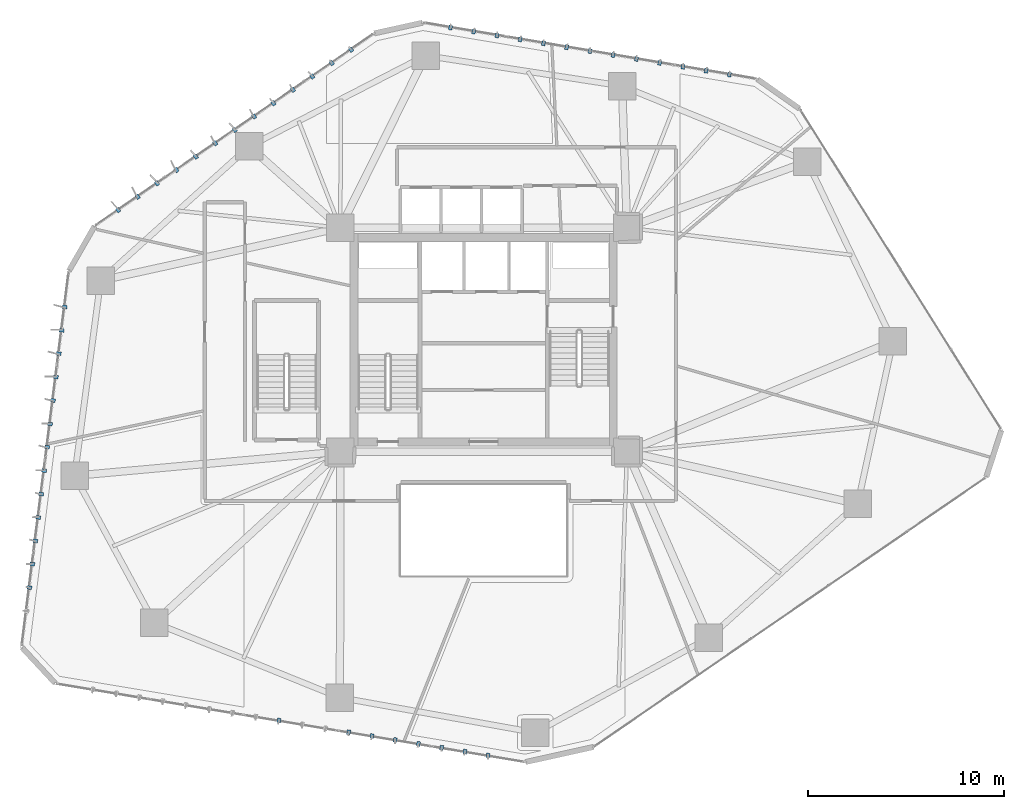
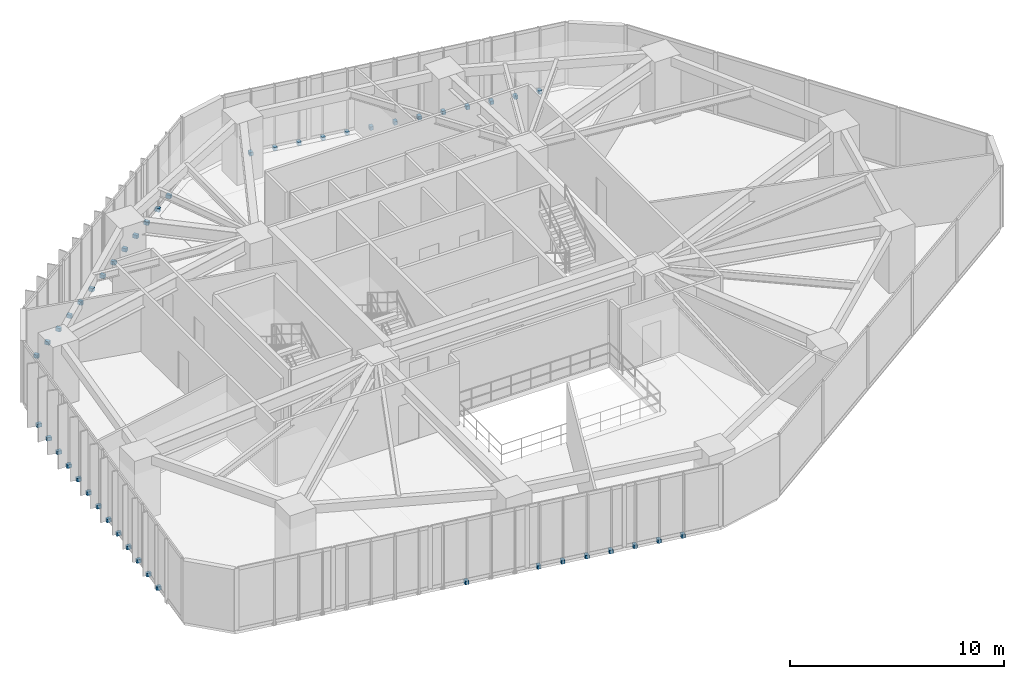
# One storey, part 19 of 21: 47 discrete accessories.
"""IFC4 building model written with IfcOpenShell, lengths in metres."""

from ifc_helpers import new_model, si_unit, direction, frame, origin, origin_2d, place, context, subcontext, project, spatial, rectangle, extrude, source, transform, mapped, material, type_object, type_shapes, element, save


model = new_model("IFC4")

# Units and contexts
model_context = context("Model", 3, precision=1e-05, world=origin(), true_north=direction((0.0, 1.0)))
body_context = subcontext(model_context, "Body", "Model", "MODEL_VIEW")
ifc_project = project(units=[si_unit("LENGTHUNIT", "METRE"), si_unit("AREAUNIT", "SQUARE_METRE"), si_unit("VOLUMEUNIT", "CUBIC_METRE"), si_unit("PLANEANGLEUNIT", "RADIAN"), si_unit("MASSUNIT", "GRAM", prefix="KILO")], contexts=[model_context])

# Site, building, storey
site_placement = place(None, origin())
site = spatial("IfcSite", under=ifc_project, at=site_placement, CompositionType="ELEMENT")
building_placement = place(site_placement, origin())
building = spatial("IfcBuilding", under=site, at=building_placement, Name="Talar Marvaseh", CompositionType="ELEMENT")
storey_placement = place(building_placement, frame((0.0, 0.0, 62.0)))
storey = spatial("IfcBuildingStorey", under=building, at=storey_placement, Name="L15", CompositionType="ELEMENT", Elevation=62.0)

# Discrete accessories
ifc_material = material(Name="Stainless Steel Grade 316", Category="steel")
discrete_accessory_type = type_object("IfcDiscreteAccessoryType", Name="Stainless Slab-Edge Fin Mounting Bracket", PredefinedType="BRACKET", material=ifc_material)
shared_shape = source(origin(), body_context, "Body", "SweptSolid", [
    extrude(rectangle(XDim=0.239990234375, YDim=0.179931640625, at=origin_2d()), origin(), (0.0, 0.0, 1.0), 0.199951171875),
])
type_shapes(discrete_accessory_type, [shared_shape])
for number, where, z_axis, x_axis, name in (
    (1, (2.874755859375, 18.581298828125, -0.18017578125), (0.0, 0.0, 1.0), (-0.992223697411, 0.124467402546, 0.0), "L15 Vertical Fin Slab-Edge Bracket"),
    (2, (3.024169921875, 19.77197265625, -0.18017578125), (0.0, 0.0, 1.0), (-0.992223697411, 0.124467402546, 0.0), "L15 Vertical Fin Slab-Edge Bracket"),
    (3, (3.173583984375, 20.962646484375, -0.18017578125), (0.0, 0.0, 1.0), (-0.992223697411, 0.124467402546, 0.0), "L15 Vertical Fin Slab-Edge Bracket"),
    (4, (3.322998046875, 22.1533203125, -0.18017578125), (0.0, 0.0, 1.0), (-0.992223697411, 0.124467402546, 0.0), "L15 Vertical Fin Slab-Edge Bracket"),
    (5, (3.472412109375, 23.343994140625, -0.18017578125), (0.0, 0.0, 1.0), (-0.992223697411, 0.124467402546, 0.0), "L15 Vertical Fin Slab-Edge Bracket"),
    (6, (3.621826171875, 24.53466796875, -0.18017578125), (0.0, 0.0, 1.0), (-0.992223697411, 0.124467402546, 0.0), "L15 Vertical Fin Slab-Edge Bracket"),
    (7, (3.771484375, 25.725341796875, -0.18017578125), (0.0, 0.0, 1.0), (-0.992223697411, 0.124467402546, 0.0), "L15 Vertical Fin Slab-Edge Bracket"),
    (8, (3.9208984375, 26.916015625, -0.18017578125), (0.0, 0.0, 1.0), (-0.992223697411, 0.124467402546, 0.0), "L15 Vertical Fin Slab-Edge Bracket"),
    (9, (4.0703125, 28.106689453125, -0.18017578125), (0.0, 0.0, 1.0), (-0.992223697411, 0.124467402546, 0.0), "L15 Vertical Fin Slab-Edge Bracket"),
    (10, (4.2197265625, 29.297119140625, -0.18017578125), (0.0, 0.0, 1.0), (-0.992223697411, 0.124467402546, 0.0), "L15 Vertical Fin Slab-Edge Bracket"),
    (11, (4.369140625, 30.48779296875, -0.18017578125), (0.0, 0.0, 1.0), (-0.992223697411, 0.124467402546, 0.0), "L15 Vertical Fin Slab-Edge Bracket"),
    (12, (4.5185546875, 31.6787109375, -0.18017578125), (0.0, 0.0, 1.0), (-0.992223697411, 0.124467402546, 0.0), "L15 Vertical Fin Slab-Edge Bracket"),
    (13, (4.66796875, 32.869140625, -0.18017578125), (0.0, 0.0, 1.0), (-0.992223697411, 0.124467402546, 0.0), "L15 Vertical Fin Slab-Edge Bracket"),
    (14, (7.392333984375, 37.798583984375, -0.18017578125), (0.0, 0.0, 1.0), (-0.567412674039, 0.823433577977, 0.0), "L15 Vertical Fin Slab-Edge Bracket"),
    (15, (8.380615234375, 38.4794921875, -0.18017578125), (0.0, 0.0, 1.0), (-0.567412674039, 0.823433577977, 0.0), "L15 Vertical Fin Slab-Edge Bracket"),
    (16, (9.36865234375, 39.160400390625, -0.18017578125), (0.0, 0.0, 1.0), (-0.567412674039, 0.823433577977, 0.0), "L15 Vertical Fin Slab-Edge Bracket"),
    (17, (10.356689453125, 39.84130859375, -0.18017578125), (0.0, 0.0, 1.0), (-0.567412674039, 0.823433577977, 0.0), "L15 Vertical Fin Slab-Edge Bracket"),
    (18, (11.344970703125, 40.522216796875, -0.18017578125), (0.0, 0.0, 1.0), (-0.567412674039, 0.823433577977, 0.0), "L15 Vertical Fin Slab-Edge Bracket"),
    (19, (12.3330078125, 41.202880859375, -0.18017578125), (0.0, 0.0, 1.0), (-0.567412674039, 0.823433577977, 0.0), "L15 Vertical Fin Slab-Edge Bracket"),
    (20, (13.3212890625, 41.8837890625, -0.18017578125), (0.0, 0.0, 1.0), (-0.567412674039, 0.823433577977, 0.0), "L15 Vertical Fin Slab-Edge Bracket"),
    (21, (14.309326171875, 42.564697265625, -0.18017578125), (0.0, 0.0, 1.0), (-0.567412674039, 0.823433577977, 0.0), "L15 Vertical Fin Slab-Edge Bracket"),
    (22, (15.297607421875, 43.24560546875, -0.18017578125), (0.0, 0.0, 1.0), (-0.567412674039, 0.823433577977, 0.0), "L15 Vertical Fin Slab-Edge Bracket"),
    (23, (16.28564453125, 43.926513671875, -0.18017578125), (0.0, 0.0, 1.0), (-0.567412674039, 0.823433577977, 0.0), "L15 Vertical Fin Slab-Edge Bracket"),
    (24, (17.273681640625, 44.607421875, -0.18017578125), (0.0, 0.0, 1.0), (-0.567412674039, 0.823433577977, 0.0), "L15 Vertical Fin Slab-Edge Bracket"),
    (25, (18.261962890625, 45.2880859375, -0.18017578125), (0.0, 0.0, 1.0), (-0.567412674039, 0.823433577977, 0.0), "L15 Vertical Fin Slab-Edge Bracket"),
    (26, (19.25, 45.968994140625, -0.18017578125), (0.0, 0.0, 1.0), (-0.567412674039, 0.823433577977, 0.0), "L15 Vertical Fin Slab-Edge Bracket"),
    (27, (24.312255859375, 47.09130859375, -0.18017578125), (0.0, 0.0, 1.0), (0.166252457562, 0.98608322182, 0.0), "L15 Vertical Fin Slab-Edge Bracket"),
    (28, (25.49560546875, 46.8916015625, -0.18017578125), (0.0, 0.0, 1.0), (0.166252457562, 0.98608322182, 0.0), "L15 Vertical Fin Slab-Edge Bracket"),
    (29, (26.6787109375, 46.6923828125, -0.18017578125), (0.0, 0.0, 1.0), (0.166252457562, 0.98608322182, 0.0), "L15 Vertical Fin Slab-Edge Bracket"),
    (30, (27.862060546875, 46.492919921875, -0.18017578125), (0.0, 0.0, 1.0), (0.166252457562, 0.98608322182, 0.0), "L15 Vertical Fin Slab-Edge Bracket"),
    (31, (29.04541015625, 46.29345703125, -0.18017578125), (0.0, 0.0, 1.0), (0.166252457562, 0.98608322182, 0.0), "L15 Vertical Fin Slab-Edge Bracket"),
    (32, (30.228759765625, 46.093994140625, -0.18017578125), (0.0, 0.0, 1.0), (0.166252457562, 0.98608322182, 0.0), "L15 Vertical Fin Slab-Edge Bracket"),
    (33, (31.412109375, 45.894287109375, -0.18017578125), (0.0, 0.0, 1.0), (0.166252457562, 0.98608322182, 0.0), "L15 Vertical Fin Slab-Edge Bracket"),
    (34, (32.595458984375, 45.695068359375, -0.18017578125), (0.0, 0.0, 1.0), (0.166252457562, 0.98608322182, 0.0), "L15 Vertical Fin Slab-Edge Bracket"),
    (35, (33.77880859375, 45.49560546875, -0.18017578125), (0.0, 0.0, 1.0), (0.166252457562, 0.98608322182, 0.0), "L15 Vertical Fin Slab-Edge Bracket"),
    (36, (34.9619140625, 45.296142578125, -0.18017578125), (0.0, 0.0, 1.0), (0.166252457562, 0.98608322182, 0.0), "L15 Vertical Fin Slab-Edge Bracket"),
    (37, (36.145263671875, 45.0966796875, -0.18017578125), (0.0, 0.0, 1.0), (0.166252457562, 0.98608322182, 0.0), "L15 Vertical Fin Slab-Edge Bracket"),
    (38, (37.32861328125, 44.897216796875, -0.18017578125), (0.0, 0.0, 1.0), (0.166252457562, 0.98608322182, 0.0), "L15 Vertical Fin Slab-Edge Bracket"),
    (39, (38.511962890625, 44.69775390625, -0.18017578125), (0.0, 0.0, 1.0), (0.166252457562, 0.98608322182, 0.0), "L15 Vertical Fin Slab-Edge Bracket"),
    (40, (26.229736328125, 10.029052734375, -0.18017578125), (0.0, 0.0, 1.0), (-0.164875464037, -0.986314392757, 0.0), "L15 Vertical Fin Slab-Edge Bracket"),
    (41, (25.046142578125, 10.226806640625, -0.18017578125), (0.0, 0.0, 1.0), (-0.164875464037, -0.986314392757, 0.0), "L15 Vertical Fin Slab-Edge Bracket"),
    (42, (23.862548828125, 10.4248046875, -0.18017578125), (0.0, 0.0, 1.0), (-0.164875464037, -0.986314392757, 0.0), "L15 Vertical Fin Slab-Edge Bracket"),
    (43, (22.678955078125, 10.62255859375, -0.18017578125), (0.0, 0.0, 1.0), (-0.164875464037, -0.986314392757, 0.0), "L15 Vertical Fin Slab-Edge Bracket"),
    (44, (21.495361328125, 10.820556640625, -0.18017578125), (0.0, 0.0, 1.0), (-0.164875464037, -0.986314392757, 0.0), "L15 Vertical Fin Slab-Edge Bracket"),
    (45, (20.31201171875, 11.018310546875, -0.18017578125), (0.0, 0.0, 1.0), (-0.164875464037, -0.986314392757, 0.0), "L15 Vertical Fin Slab-Edge Bracket"),
    (46, (19.12841796875, 11.21630859375, -0.18017578125), (0.0, 0.0, 1.0), (-0.164875464037, -0.986314392757, 0.0), "L15 Vertical Fin Slab-Edge Bracket"),
    (47, (15.57763671875, 11.809814453125, -0.18017578125), (0.0, 0.0, 1.0), (-0.164875464037, -0.986314392757, 0.0), "L15 Vertical Fin Slab-Edge Bracket"),
):
    element("IfcDiscreteAccessory", number, at=place(storey_placement, frame(where, z_axis=z_axis, x_axis=x_axis)), inside=storey, type_object=discrete_accessory_type, Name=name, PredefinedType="BRACKET", context=body_context, shape_type="MappedRepresentation", body=[
        mapped(shared_shape, transform((0.0, 0.0, 0.0), x_axis=(1.0, 0.0, 0.0), y_axis=(0.0, 1.0, 0.0), z_axis=(0.0, 0.0, 1.0), scale=1.0)),
    ])

save(model, "model.ifc")
